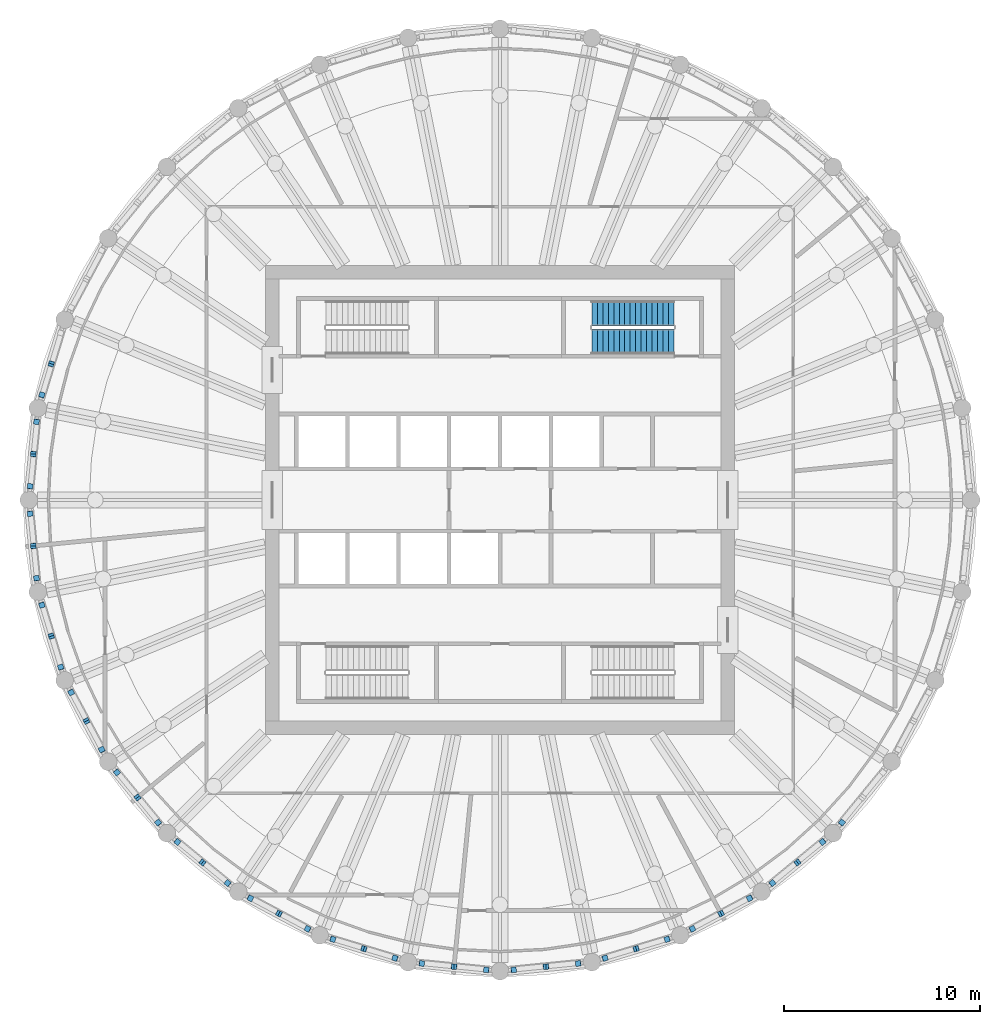
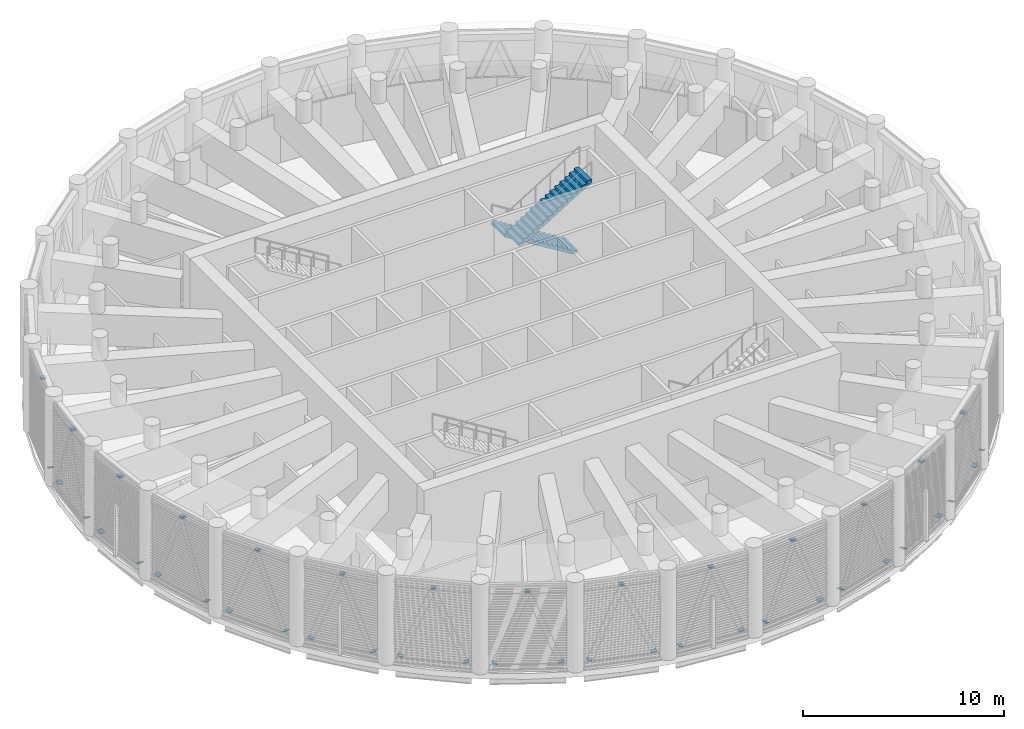
# One storey, part 9 of 19: 56 discrete accessories, 2 stair flights, 1 element without a shape of its own.
"""IFC4 building model written with IfcOpenShell, lengths in metres."""

import ifcopenshell
import ifcopenshell.guid

model = None  # the IFC model being written
_history = None  # IfcOwnerHistory: only IFC2X3 demands one
_inside = {}  # id of a spatial element -> (the spatial element, [elements in it])
_under = {}  # id of a project, library or spatial element -> (it, [spatial elements below it])
_declared = {}  # id of a project -> (the project, [libraries it declares])
_typed = {}  # id of a type object -> (the type object, [elements of that type])
_made_of = {}  # id of a material, layer set ... -> (it, [elements and type objects made of it])


def new_model(schema):
    """Start an empty IFC model of exactly this schema.

    Asked for "IFC4X3", IfcOpenShell would pick the latest addendum, in which some entities
    have other attributes; the version numbers below select the first issue.
    IFC2X3 requires an IfcOwnerHistory on every rooted entity: one is made here for all.
    """
    global model, _history
    if schema == "IFC4X3":
        model = ifcopenshell.file(schema_version=(4, 3, 0, 0))
    else:
        model = ifcopenshell.file(schema=schema)
    _inside.clear()
    _under.clear()
    _declared.clear()
    _typed.clear()
    _made_of.clear()
    _history = None
    if model.schema == "IFC2X3":
        org = make("IfcOrganization", Name="unknown")
        user = make(
            "IfcPersonAndOrganization",
            ThePerson=make("IfcPerson", FamilyName="unknown"),
            TheOrganization=org,
        )
        app = make(
            "IfcApplication",
            ApplicationDeveloper=org,
            Version="unknown",
            ApplicationFullName="unknown",
            ApplicationIdentifier="unknown",
        )
        _history = make(
            "IfcOwnerHistory",
            OwningUser=user,
            OwningApplication=app,
            ChangeAction="ADDED",
            CreationDate=0,
        )
    return model


def make(cls, **values):
    """One entity of the class cls with the attributes given. An attribute that is None is left unset."""
    return model.create_entity(
        cls, **{name: value for name, value in values.items() if value is not None}
    )


def rooted(cls, **values):
    """An entity with a GlobalId (a new one), such as an element, a storey or a relation."""
    return make(cls, GlobalId=ifcopenshell.guid.new(), OwnerHistory=_history, **values)


def si_unit(unit_type, name, prefix=None):
    """IfcSIUnit, for example si_unit("LENGTHUNIT", "METRE", prefix="MILLI")."""
    return make("IfcSIUnit", UnitType=unit_type, Prefix=prefix, Name=name)


def assignment(units):
    """IfcUnitAssignment: the units of a project."""
    return None if units is None else make("IfcUnitAssignment", Units=units)


def point(xyz):
    """IfcCartesianPoint."""
    return None if xyz is None else make("IfcCartesianPoint", Coordinates=xyz)


def direction(xyz):
    """IfcDirection."""
    return None if xyz is None else make("IfcDirection", DirectionRatios=xyz)


def frame(location, z_axis=None, x_axis=None):
    """IfcAxis2Placement3D, a coordinate frame: its origin and axes. An axis left out is left unset."""
    return make(
        "IfcAxis2Placement3D",
        Location=point(location),
        Axis=direction(z_axis),
        RefDirection=direction(x_axis),
    )


def frame_2d(location, x_axis=None):
    """IfcAxis2Placement2D, a coordinate frame in the plane: its origin and x axis."""
    return make(
        "IfcAxis2Placement2D", Location=point(location), RefDirection=direction(x_axis)
    )


def origin():
    """The frame at (0, 0, 0) with its axes left unset."""
    return frame((0.0, 0.0, 0.0))


def origin_2d():
    """The frame at (0, 0) in the plane with its x axis left unset."""
    return frame_2d((0.0, 0.0))


def place(relative_to, where):
    """IfcLocalPlacement: puts the frame where relative to a parent placement (None: the world)."""
    return make(
        "IfcLocalPlacement", PlacementRelTo=relative_to, RelativePlacement=where
    )


def context(
    kind, dimensions, precision=None, world=None, true_north=None, identifier=None
):
    """IfcGeometricRepresentationContext, for example the 3D "Model" context."""
    return make(
        "IfcGeometricRepresentationContext",
        ContextIdentifier=identifier,
        ContextType=kind,
        CoordinateSpaceDimension=dimensions,
        Precision=precision,
        WorldCoordinateSystem=world,
        TrueNorth=true_north,
    )


def subcontext(parent, identifier, kind, view, scale=None):
    """IfcGeometricRepresentationSubContext, for example "Body" below "Model"."""
    return make(
        "IfcGeometricRepresentationSubContext",
        ContextIdentifier=identifier,
        ContextType=kind,
        ParentContext=parent,
        TargetScale=scale,
        TargetView=view,
    )


def project(units=None, contexts=None):
    """IfcProject with its units and contexts."""
    return rooted(
        "IfcProject",
        Name="project",
        RepresentationContexts=contexts,
        UnitsInContext=assignment(units),
    )


def spatial(cls, under=None, at=None, **own):
    """A site, building, storey or space (cls), placed at a placement, below another one or the project."""
    s = rooted(cls, ObjectPlacement=at, **own)
    if under is not None:
        _under.setdefault(under.id(), (under, []))[1].append(s)
    return s


def polyline(points):
    """IfcPolyline through the points."""
    return make("IfcPolyline", Points=[point(p) for p in points])


def profile(cls, at=None, kind="AREA", **sizes):
    """A parametric profile (cls). Its sizes go by their IFC names, for example OverallWidth=200.0."""
    return make(cls, ProfileType=kind, Position=at, **sizes)


def rectangle(**sizes):
    """IfcRectangleProfileDef."""
    return profile("IfcRectangleProfileDef", **sizes)


def outline(outer, holes=None, kind="AREA"):
    """IfcArbitraryClosedProfileDef: a profile drawn as a closed curve; with holes, ...WithVoids."""
    if holes is None:
        return make("IfcArbitraryClosedProfileDef", ProfileType=kind, OuterCurve=outer)
    return make(
        "IfcArbitraryProfileDefWithVoids",
        ProfileType=kind,
        OuterCurve=outer,
        InnerCurves=holes,
    )


def extrude(swept, where, along, depth):
    """IfcExtrudedAreaSolid: the profile swept, set in the frame where, extruded along a direction by depth."""
    return make(
        "IfcExtrudedAreaSolid",
        SweptArea=swept,
        Position=where,
        ExtrudedDirection=direction(along),
        Depth=depth,
    )


def shape(context_of_items, identifier, shape_type, items):
    """IfcShapeRepresentation: the items that make up one representation, for example the "Body"."""
    return make(
        "IfcShapeRepresentation",
        ContextOfItems=context_of_items,
        RepresentationIdentifier=identifier,
        RepresentationType=shape_type,
        Items=items,
    )


def material(Name=None, Category=None):
    """IfcMaterial."""
    return make("IfcMaterial", Name=Name, Category=Category)


def material_profile(
    of_material, cross_section, Name=None, Category=None, Priority=None
):
    """IfcMaterialProfile: a cross section and its material."""
    return make(
        "IfcMaterialProfile",
        Name=Name,
        Material=of_material,
        Profile=cross_section,
        Priority=Priority,
        Category=Category,
    )


def profile_set(profiles, Name=None, composite=None):
    """IfcMaterialProfileSet."""
    return make(
        "IfcMaterialProfileSet",
        Name=Name,
        MaterialProfiles=profiles,
        CompositeProfile=composite,
    )


def made_of(thing, what):
    """Note that an element or type object is made of a material, layer set ...; save() writes the relation."""
    if what is not None:
        _made_of.setdefault(what.id(), (what, []))[1].append(thing)
    return thing


def type_object(cls, material=None, **own):
    """A type object (cls), such as IfcWallType, which elements share."""
    return made_of(rooted(cls, **own), material)


def element(
    cls,
    number,
    at=None,
    inside=None,
    cuts=None,
    type_object=None,
    material=None,
    context=None,
    identifier="Body",
    shape_type=None,
    held_by="IfcProductDefinitionShape",
    body=None,
    shapes=None,
    **own,
):
    """One element of the class cls, such as IfcWall. Its Tag is "e" and its number.

    at: its placement. inside: the storey or other place that contains it. cuts: it is an
    opening in that element (IfcRelVoidsElement). A single representation is given by context,
    identifier, shape_type and body (its items); several are given by shapes. held_by: the class
    of the entity that holds the representations. save() writes the other relations.
    """
    e = rooted(cls, Tag="e%d" % number, ObjectPlacement=at, **own)
    if body is not None:
        shapes = [shape(context, identifier, shape_type, body)]
    if shapes is not None:
        e.Representation = make(held_by, Representations=shapes)
    if inside is not None:
        _inside.setdefault(inside.id(), (inside, []))[1].append(e)
    if cuts is not None:
        rooted(
            "IfcRelVoidsElement", RelatingBuildingElement=cuts, RelatedOpeningElement=e
        )
    if type_object is not None:
        _typed.setdefault(type_object.id(), (type_object, []))[1].append(e)
    return made_of(e, material)


def aggregate(whole, parts):
    """IfcRelAggregates: a whole, such as a stair, and the parts it consists of."""
    return rooted("IfcRelAggregates", RelatingObject=whole, RelatedObjects=parts)


def save(model, path):
    """Write the relations noted so far, then the file.

    IfcRelAggregates (storeys below a building ...), IfcRelContainedInSpatialStructure (elements
    in a storey), IfcRelDefinesByType, IfcRelAssociatesMaterial and IfcRelDeclares: one each for
    every whole, place, type object, material and project.
    """
    for whole, parts in _under.values():
        aggregate(whole, parts)
    for where, things in _inside.values():
        rooted(
            "IfcRelContainedInSpatialStructure",
            RelatedElements=things,
            RelatingStructure=where,
        )
    for kind, things in _typed.values():
        rooted("IfcRelDefinesByType", RelatedObjects=things, RelatingType=kind)
    for what, things in _made_of.values():
        rooted("IfcRelAssociatesMaterial", RelatedObjects=things, RelatingMaterial=what)
    for by, libraries in _declared.values():
        rooted("IfcRelDeclares", RelatingContext=by, RelatedDefinitions=libraries)
    model.write(path)


model = new_model("IFC4")

# Units and contexts
model_context = context("Model", 3, precision=1e-05, world=origin(), true_north=direction((0.0, 1.0)))
body_context = subcontext(model_context, "Body", "Model", "MODEL_VIEW")
ifc_project = project(units=[si_unit("LENGTHUNIT", "METRE"), si_unit("AREAUNIT", "SQUARE_METRE"), si_unit("VOLUMEUNIT", "CUBIC_METRE"), si_unit("PLANEANGLEUNIT", "RADIAN"), si_unit("MASSUNIT", "GRAM", prefix="KILO")], contexts=[model_context])

# Site, building, storey
site_placement = place(None, origin())
site = spatial("IfcSite", under=ifc_project, at=site_placement, CompositionType="ELEMENT")
building_placement = place(site_placement, origin())
building = spatial("IfcBuilding", under=site, at=building_placement, Name="Corvane Civic Tower", CompositionType="ELEMENT")
storey_placement = place(building_placement, frame((0.0, 0.0, 319.0)))
storey = spatial("IfcBuildingStorey", under=building, at=storey_placement, Name="L76", CompositionType="ELEMENT", Elevation=319.0)

# Stair, stair flights
ifc_material_1 = material(Name="Concrete C40/50", Category="concrete")
stair_type = type_object("IfcStairType", Name="ST-STAIR-HALFTURN", PredefinedType="HALF_TURN_STAIR", material=ifc_material_1)
stair_placement = place(storey_placement, origin())
stair = element("IfcStair", 1, at=stair_placement, inside=storey, type_object=stair_type, Name="L76 Exit stair ST1", PredefinedType="HALF_TURN_STAIR")
ifc_material_2 = material(Name="Concrete C40/50", Category="concrete")
stair_flight_type = type_object("IfcStairFlightType", Name="ST-FLIGHT-RC", PredefinedType="STRAIGHT", material=ifc_material_2)
stair_flight_1_placement = place(storey_placement, frame((8.89990234375, 9.550048828125, 0.0), z_axis=(0.0, 0.0, 1.0), x_axis=(-1.0, 0.0, 0.0)))
stair_flight_1 = element("IfcStairFlight", 2, at=stair_flight_1_placement, type_object=stair_flight_type, Name="ST1 flight 1", NumberOfRisers=16, NumberOfTreads=15, PredefinedType="STRAIGHT", RiserHeight=0.171875, TreadLength=0.28, context=body_context, shape_type="SweptSolid", body=[
    extrude(outline(polyline([(0.0, 0.0), (0.0, 0.171875), (0.280029296875, 0.171875), (0.280029296875, 0.34375), (0.56005859375, 0.34375), (0.56005859375, 0.515625), (0.840087890625, 0.515625), (0.840087890625, 0.6875), (1.1201171875, 0.6875), (1.1201171875, 0.859375), (1.39990234375, 0.859375), (1.39990234375, 1.03125), (1.679931640625, 1.03125), (1.679931640625, 1.203125), (1.9599609375, 1.203125), (1.9599609375, 1.375), (2.239990234375, 1.375), (2.239990234375, 1.546875), (2.52001953125, 1.546875), (2.52001953125, 1.71875), (2.800048828125, 1.71875), (2.800048828125, 1.890625), (3.080078125, 1.890625), (3.080078125, 2.0625), (3.360107421875, 2.0625), (3.360107421875, 2.234375), (3.639892578125, 2.234375), (3.639892578125, 2.40625), (3.919921875, 2.40625), (3.919921875, 2.578125), (4.199951171875, 2.578125), (4.199951171875, 2.75), (4.199951171875, 2.40234375), (0.28662109375, 0.0), (0.0, 0.0)])), frame((0.0, 0.64990234375, 0.0), z_axis=(0.0, -1.0, 0.0), x_axis=(1.0, 0.0, 0.0)), (0.0, 0.0, 1.0), 1.300048828125),
])
stair_flight_2_placement = place(storey_placement, frame((4.699951171875, 8.10009765625, 2.75), z_axis=(0.0, 0.0, 1.0), x_axis=(1.0, 0.0, 0.0)))
stair_flight_2 = element("IfcStairFlight", 3, at=stair_flight_2_placement, type_object=stair_flight_type, Name="ST1 flight 2", NumberOfRisers=16, NumberOfTreads=15, PredefinedType="STRAIGHT", RiserHeight=0.171875, TreadLength=0.28, context=body_context, shape_type="SweptSolid", body=[
    extrude(outline(polyline([(0.0, 0.0), (0.0, 0.171875), (0.280029296875, 0.171875), (0.280029296875, 0.34375), (0.56005859375, 0.34375), (0.56005859375, 0.515625), (0.840087890625, 0.515625), (0.840087890625, 0.6875), (1.1201171875, 0.6875), (1.1201171875, 0.859375), (1.39990234375, 0.859375), (1.39990234375, 1.03125), (1.679931640625, 1.03125), (1.679931640625, 1.203125), (1.9599609375, 1.203125), (1.9599609375, 1.375), (2.239990234375, 1.375), (2.239990234375, 1.546875), (2.52001953125, 1.546875), (2.52001953125, 1.71875), (2.800048828125, 1.71875), (2.800048828125, 1.890625), (3.080078125, 1.890625), (3.080078125, 2.0625), (3.360107421875, 2.0625), (3.360107421875, 2.234375), (3.639892578125, 2.234375), (3.639892578125, 2.40625), (3.919921875, 2.40625), (3.919921875, 2.578125), (4.199951171875, 2.578125), (4.199951171875, 2.75), (4.199951171875, 2.40234375), (0.28662109375, 0.0), (0.0, 0.0)])), frame((0.0, 0.64990234375, 0.0), z_axis=(0.0, -1.0, 0.0), x_axis=(1.0, 0.0, 0.0)), (0.0, 0.0, 1.0), 1.300048828125),
])
aggregate(stair, [stair_flight_1, stair_flight_2])

# Discrete accessories
ifc_material_3 = material(Name="Steel ASTM A572 Gr 50", Category="steel")
ifc_material_profile = material_profile(ifc_material_3, rectangle(XDim=0.2802734375, YDim=0.2802734375, at=origin_2d()), Name="GUSSET PLATE 25 IN HSS12X12X1/2")
ifc_profile_set = profile_set([ifc_material_profile], Name="Steel ASTM A572 Gr 50")
discrete_accessory_type = type_object("IfcDiscreteAccessoryType", Name="GUSSET PLATE 25 IN HSS12X12X1/2", PredefinedType="BRACKET", material=ifc_profile_set)
for number, where, z_axis, x_axis, name in (
    (4, (17.4853515625, -16.500244140625, 0.406494140625), (0.225587789762, 0.284436778396, 0.931775653366), (-0.78349767909, 0.621394711002, 0.0), "Gusset plate BD1 end A"),
    (5, (16.500244140625, -17.4853515625, 0.406494140625), (-0.284436778396, -0.225587789762, 0.931775653366), (0.621394711002, -0.78349767909, 0.0), "Gusset plate BD1 end A"),
):
    element("IfcDiscreteAccessory", number, at=place(storey_placement, frame(where, z_axis=z_axis, x_axis=x_axis)), inside=storey, type_object=discrete_accessory_type, Name=name, PredefinedType="BRACKET", context=body_context, shape_type="SweptSolid", body=[
        extrude(rectangle(XDim=0.2802734375, YDim=0.2802734375, at=origin_2d()), origin(), (0.0, 0.0, 1.0), 0.02490234375),
    ])
discrete_accessory_1_placement = place(storey_placement, frame((15.21533203125, -18.539794921875, 4.74365234375), z_axis=(0.272875452252, 0.224147692921, -0.93557297915), x_axis=(-0.63473942336, 0.772726254525, 0.0)))
element("IfcDiscreteAccessory", 6, at=discrete_accessory_1_placement, inside=storey, type_object=discrete_accessory_type, Name="Gusset plate BD1 end B", PredefinedType="BRACKET", context=body_context, shape_type="SweptSolid", body=[
    extrude(rectangle(XDim=0.2802734375, YDim=0.2802734375, at=origin_2d()), origin(), (0.0, 0.0, 1.0), 0.025146484375),
])
discrete_accessory_2_placement = place(storey_placement, frame((13.93017578125, -19.59423828125, 0.406494140625), z_axis=(0.284436778396, 0.225587789762, 0.931775653366), x_axis=(-0.621394711002, 0.78349767909, 0.0)))
element("IfcDiscreteAccessory", 7, at=discrete_accessory_2_placement, inside=storey, type_object=discrete_accessory_type, Name="Gusset plate BD1 end A", PredefinedType="BRACKET", context=body_context, shape_type="SweptSolid", body=[
    extrude(rectangle(XDim=0.2802734375, YDim=0.2802734375, at=origin_2d()), origin(), (0.0, 0.0, 1.0), 0.02490234375),
])
discrete_accessory_3_placement = place(storey_placement, frame((15.21533203125, -18.539794921875, 4.74365234375), z_axis=(-0.281859094948, -0.223543420131, -0.933050797069), x_axis=(0.621394711002, -0.78349767909, 0.0)))
element("IfcDiscreteAccessory", 8, at=discrete_accessory_3_placement, inside=storey, type_object=discrete_accessory_type, Name="Gusset plate BD1 end B", PredefinedType="BRACKET", context=body_context, shape_type="SweptSolid", body=[
    extrude(rectangle(XDim=0.2802734375, YDim=0.2802734375, at=origin_2d()), origin(), (0.0, 0.0, 1.0), 0.025146484375),
])
discrete_accessory_4_placement = place(storey_placement, frame((12.771728515625, -20.368408203125, 0.406494140625), z_axis=(-0.314725342185, -0.167197838036, 0.934340859613), x_axis=(0.469155225962, -0.883115719457, 0.0)))
element("IfcDiscreteAccessory", 9, at=discrete_accessory_4_placement, inside=storey, type_object=discrete_accessory_type, Name="Gusset plate BD1 end A", PredefinedType="BRACKET", context=body_context, shape_type="SweptSolid", body=[
    extrude(rectangle(XDim=0.2802734375, YDim=0.2802734375, at=origin_2d()), origin(), (0.0, 0.0, 1.0), 0.02490234375),
])
discrete_accessory_5_placement = place(storey_placement, frame((11.305908203125, -21.15185546875, 4.74365234375), z_axis=(0.311857659717, 0.165674381725, -0.93557297915), x_axis=(-0.469155225962, 0.883115719457, 0.0)))
element("IfcDiscreteAccessory", 10, at=discrete_accessory_5_placement, inside=storey, type_object=discrete_accessory_type, Name="Gusset plate BD1 end B", PredefinedType="BRACKET", context=body_context, shape_type="SweptSolid", body=[
    extrude(rectangle(XDim=0.2802734375, YDim=0.2802734375, at=origin_2d()), origin(), (0.0, 0.0, 1.0), 0.025146484375),
])
discrete_accessory_6_placement = place(storey_placement, frame((9.840087890625, -21.935302734375, 0.406494140625), z_axis=(0.314725342185, 0.167197838036, 0.934340859613), x_axis=(-0.469155225962, 0.883115719457, 0.0)))
element("IfcDiscreteAccessory", 11, at=discrete_accessory_6_placement, inside=storey, type_object=discrete_accessory_type, Name="Gusset plate BD1 end A", PredefinedType="BRACKET", context=body_context, shape_type="SweptSolid", body=[
    extrude(rectangle(XDim=0.2802734375, YDim=0.2802734375, at=origin_2d()), origin(), (0.0, 0.0, 1.0), 0.02490234375),
])
discrete_accessory_7_placement = place(storey_placement, frame((11.305908203125, -21.15185546875, 4.74365234375), z_axis=(-0.311857659717, -0.165674381725, -0.93557297915), x_axis=(0.469155225962, -0.883115719457, 0.0)))
element("IfcDiscreteAccessory", 12, at=discrete_accessory_7_placement, inside=storey, type_object=discrete_accessory_type, Name="Gusset plate BD1 end B", PredefinedType="BRACKET", context=body_context, shape_type="SweptSolid", body=[
    extrude(rectangle(XDim=0.2802734375, YDim=0.2802734375, at=origin_2d()), origin(), (0.0, 0.0, 1.0), 0.025146484375),
])
discrete_accessory_8_placement = place(storey_placement, frame((8.552734375, -22.468505859375, 0.406494140625), z_axis=(-0.343682744054, -0.108014576703, 0.932853162432), x_axis=(0.29982659674, -0.953993716901, 0.0)))
element("IfcDiscreteAccessory", 13, at=discrete_accessory_8_placement, inside=storey, type_object=discrete_accessory_type, Name="Gusset plate BD1 end A", PredefinedType="BRACKET", context=body_context, shape_type="SweptSolid", body=[
    extrude(rectangle(XDim=0.2802734375, YDim=0.2802734375, at=origin_2d()), origin(), (0.0, 0.0, 1.0), 0.02490234375),
])
discrete_accessory_9_placement = place(storey_placement, frame((6.962158203125, -22.951171875, 4.74365234375), z_axis=(0.340561039499, 0.107033469557, -0.934110279769), x_axis=(-0.29982659674, 0.953993716901, 0.0)))
element("IfcDiscreteAccessory", 14, at=discrete_accessory_9_placement, inside=storey, type_object=discrete_accessory_type, Name="Gusset plate BD1 end B", PredefinedType="BRACKET", context=body_context, shape_type="SweptSolid", body=[
    extrude(rectangle(XDim=0.2802734375, YDim=0.2802734375, at=origin_2d()), origin(), (0.0, 0.0, 1.0), 0.025146484375),
])
discrete_accessory_10_placement = place(storey_placement, frame((5.37158203125, -23.433837890625, 0.406494140625), z_axis=(0.343682744054, 0.108014576703, 0.932853162432), x_axis=(-0.29982659674, 0.953993716901, 0.0)))
element("IfcDiscreteAccessory", 15, at=discrete_accessory_10_placement, inside=storey, type_object=discrete_accessory_type, Name="Gusset plate BD1 end A", PredefinedType="BRACKET", context=body_context, shape_type="SweptSolid", body=[
    extrude(rectangle(XDim=0.2802734375, YDim=0.2802734375, at=origin_2d()), origin(), (0.0, 0.0, 1.0), 0.02490234375),
])
discrete_accessory_11_placement = place(storey_placement, frame((6.962158203125, -22.951171875, 4.74365234375), z_axis=(-0.340561039499, -0.107033469557, -0.934110279769), x_axis=(0.29982659674, -0.953993716901, 0.0)))
element("IfcDiscreteAccessory", 16, at=discrete_accessory_11_placement, inside=storey, type_object=discrete_accessory_type, Name="Gusset plate BD1 end B", PredefinedType="BRACKET", context=body_context, shape_type="SweptSolid", body=[
    extrude(rectangle(XDim=0.2802734375, YDim=0.2802734375, at=origin_2d()), origin(), (0.0, 0.0, 1.0), 0.025146484375),
])
discrete_accessory_12_placement = place(storey_placement, frame((4.005126953125, -23.70556640625, 0.406494140625), z_axis=(-0.36264054548, -0.039204383295, 0.931104103258), x_axis=(0.10748184298, -0.994207047566, 0.0)))
element("IfcDiscreteAccessory", 17, at=discrete_accessory_12_placement, inside=storey, type_object=discrete_accessory_type, Name="Gusset plate BD1 end A", PredefinedType="BRACKET", context=body_context, shape_type="SweptSolid", body=[
    extrude(rectangle(XDim=0.2802734375, YDim=0.2802734375, at=origin_2d()), origin(), (0.0, 0.0, 1.0), 0.02490234375),
])
discrete_accessory_13_placement = place(storey_placement, frame((2.350830078125, -23.868408203125, 4.74365234375), z_axis=(0.350973228344, 0.029247769029, -0.935928608919), x_axis=(-0.083045479854, 0.996545758245, 0.0)))
element("IfcDiscreteAccessory", 18, at=discrete_accessory_13_placement, inside=storey, type_object=discrete_accessory_type, Name="Gusset plate BD1 end B", PredefinedType="BRACKET", context=body_context, shape_type="SweptSolid", body=[
    extrude(rectangle(XDim=0.2802734375, YDim=0.2802734375, at=origin_2d()), origin(), (0.0, 0.0, 1.0), 0.025146484375),
])
discrete_accessory_14_placement = place(storey_placement, frame((0.696533203125, -24.031494140625, 0.406494140625), z_axis=(0.36264054548, 0.039204383295, 0.931104103258), x_axis=(-0.10748184298, 0.994207047566, 0.0)))
element("IfcDiscreteAccessory", 19, at=discrete_accessory_14_placement, inside=storey, type_object=discrete_accessory_type, Name="Gusset plate BD1 end A", PredefinedType="BRACKET", context=body_context, shape_type="SweptSolid", body=[
    extrude(rectangle(XDim=0.2802734375, YDim=0.2802734375, at=origin_2d()), origin(), (0.0, 0.0, 1.0), 0.02490234375),
])
discrete_accessory_15_placement = place(storey_placement, frame((2.350830078125, -23.868408203125, 4.74365234375), z_axis=(-0.350856529013, -0.038984058779, -0.935617410703), x_axis=(0.110431526075, -0.993883734674, 0.0)))
element("IfcDiscreteAccessory", 20, at=discrete_accessory_15_placement, inside=storey, type_object=discrete_accessory_type, Name="Gusset plate BD1 end B", PredefinedType="BRACKET", context=body_context, shape_type="SweptSolid", body=[
    extrude(rectangle(XDim=0.2802734375, YDim=0.2802734375, at=origin_2d()), origin(), (0.0, 0.0, 1.0), 0.025146484375),
])
discrete_accessory_16_placement = place(storey_placement, frame((-0.696533203125, -24.031494140625, 0.406494140625), z_axis=(-0.36264054548, 0.039204383295, 0.931104103258), x_axis=(-0.10748184298, -0.994207047566, 0.0)))
element("IfcDiscreteAccessory", 21, at=discrete_accessory_16_placement, inside=storey, type_object=discrete_accessory_type, Name="Gusset plate BD1 end A", PredefinedType="BRACKET", context=body_context, shape_type="SweptSolid", body=[
    extrude(rectangle(XDim=0.2802734375, YDim=0.2802734375, at=origin_2d()), origin(), (0.0, 0.0, 1.0), 0.02490234375),
])
discrete_accessory_17_placement = place(storey_placement, frame((-2.350830078125, -23.868408203125, 4.74365234375), z_axis=(0.350856529013, -0.038984058779, -0.935617410703), x_axis=(0.110431526075, 0.993883734674, 0.0)))
element("IfcDiscreteAccessory", 22, at=discrete_accessory_17_placement, inside=storey, type_object=discrete_accessory_type, Name="Gusset plate BD1 end B", PredefinedType="BRACKET", context=body_context, shape_type="SweptSolid", body=[
    extrude(rectangle(XDim=0.2802734375, YDim=0.2802734375, at=origin_2d()), origin(), (0.0, 0.0, 1.0), 0.025146484375),
])
discrete_accessory_18_placement = place(storey_placement, frame((-4.005126953125, -23.70556640625, 0.406494140625), z_axis=(0.36264054548, -0.039204383295, 0.931104103258), x_axis=(0.10748184298, 0.994207047566, 0.0)))
element("IfcDiscreteAccessory", 23, at=discrete_accessory_18_placement, inside=storey, type_object=discrete_accessory_type, Name="Gusset plate BD1 end A", PredefinedType="BRACKET", context=body_context, shape_type="SweptSolid", body=[
    extrude(rectangle(XDim=0.2802734375, YDim=0.2802734375, at=origin_2d()), origin(), (0.0, 0.0, 1.0), 0.02490234375),
])
discrete_accessory_19_placement = place(storey_placement, frame((-2.350830078125, -23.868408203125, 4.74365234375), z_axis=(-0.350973228344, 0.029247769029, -0.935928608919), x_axis=(-0.083045479854, -0.996545758245, 0.0)))
element("IfcDiscreteAccessory", 24, at=discrete_accessory_19_placement, inside=storey, type_object=discrete_accessory_type, Name="Gusset plate BD1 end B", PredefinedType="BRACKET", context=body_context, shape_type="SweptSolid", body=[
    extrude(rectangle(XDim=0.2802734375, YDim=0.2802734375, at=origin_2d()), origin(), (0.0, 0.0, 1.0), 0.025146484375),
])
discrete_accessory_20_placement = place(storey_placement, frame((-5.37158203125, -23.433837890625, 0.406494140625), z_axis=(-0.343682744054, 0.108014576703, 0.932853162432), x_axis=(-0.29982659674, -0.953993716901, 0.0)))
element("IfcDiscreteAccessory", 25, at=discrete_accessory_20_placement, inside=storey, type_object=discrete_accessory_type, Name="Gusset plate BD1 end A", PredefinedType="BRACKET", context=body_context, shape_type="SweptSolid", body=[
    extrude(rectangle(XDim=0.2802734375, YDim=0.2802734375, at=origin_2d()), origin(), (0.0, 0.0, 1.0), 0.02490234375),
])
discrete_accessory_21_placement = place(storey_placement, frame((-6.962158203125, -22.951171875, 4.74365234375), z_axis=(0.340561039499, -0.107033469557, -0.934110279769), x_axis=(0.29982659674, 0.953993716901, 0.0)))
element("IfcDiscreteAccessory", 26, at=discrete_accessory_21_placement, inside=storey, type_object=discrete_accessory_type, Name="Gusset plate BD1 end B", PredefinedType="BRACKET", context=body_context, shape_type="SweptSolid", body=[
    extrude(rectangle(XDim=0.2802734375, YDim=0.2802734375, at=origin_2d()), origin(), (0.0, 0.0, 1.0), 0.025146484375),
])
discrete_accessory_22_placement = place(storey_placement, frame((-8.552734375, -22.468505859375, 0.406494140625), z_axis=(0.343682744054, -0.108014576703, 0.932853162432), x_axis=(0.29982659674, 0.953993716901, 0.0)))
element("IfcDiscreteAccessory", 27, at=discrete_accessory_22_placement, inside=storey, type_object=discrete_accessory_type, Name="Gusset plate BD1 end A", PredefinedType="BRACKET", context=body_context, shape_type="SweptSolid", body=[
    extrude(rectangle(XDim=0.2802734375, YDim=0.2802734375, at=origin_2d()), origin(), (0.0, 0.0, 1.0), 0.02490234375),
])
discrete_accessory_23_placement = place(storey_placement, frame((-6.962158203125, -22.951171875, 4.74365234375), z_axis=(-0.340561039499, 0.107033469557, -0.934110279769), x_axis=(-0.29982659674, -0.953993716901, 0.0)))
element("IfcDiscreteAccessory", 28, at=discrete_accessory_23_placement, inside=storey, type_object=discrete_accessory_type, Name="Gusset plate BD1 end B", PredefinedType="BRACKET", context=body_context, shape_type="SweptSolid", body=[
    extrude(rectangle(XDim=0.2802734375, YDim=0.2802734375, at=origin_2d()), origin(), (0.0, 0.0, 1.0), 0.025146484375),
])
discrete_accessory_24_placement = place(storey_placement, frame((-9.840087890625, -21.935302734375, 0.406494140625), z_axis=(-0.314725342185, 0.167197838036, 0.934340859613), x_axis=(-0.469155225962, -0.883115719457, 0.0)))
element("IfcDiscreteAccessory", 29, at=discrete_accessory_24_placement, inside=storey, type_object=discrete_accessory_type, Name="Gusset plate BD1 end A", PredefinedType="BRACKET", context=body_context, shape_type="SweptSolid", body=[
    extrude(rectangle(XDim=0.2802734375, YDim=0.2802734375, at=origin_2d()), origin(), (0.0, 0.0, 1.0), 0.02490234375),
])
discrete_accessory_25_placement = place(storey_placement, frame((-11.305908203125, -21.15185546875, 4.74365234375), z_axis=(0.311857659717, -0.165674381725, -0.93557297915), x_axis=(0.469155225962, 0.883115719457, 0.0)))
element("IfcDiscreteAccessory", 30, at=discrete_accessory_25_placement, inside=storey, type_object=discrete_accessory_type, Name="Gusset plate BD1 end B", PredefinedType="BRACKET", context=body_context, shape_type="SweptSolid", body=[
    extrude(rectangle(XDim=0.2802734375, YDim=0.2802734375, at=origin_2d()), origin(), (0.0, 0.0, 1.0), 0.025146484375),
])
discrete_accessory_26_placement = place(storey_placement, frame((-12.771728515625, -20.368408203125, 0.406494140625), z_axis=(0.314725342185, -0.167197838036, 0.934340859613), x_axis=(0.469155225962, 0.883115719457, 0.0)))
element("IfcDiscreteAccessory", 31, at=discrete_accessory_26_placement, inside=storey, type_object=discrete_accessory_type, Name="Gusset plate BD1 end A", PredefinedType="BRACKET", context=body_context, shape_type="SweptSolid", body=[
    extrude(rectangle(XDim=0.2802734375, YDim=0.2802734375, at=origin_2d()), origin(), (0.0, 0.0, 1.0), 0.02490234375),
])
discrete_accessory_27_placement = place(storey_placement, frame((-11.305908203125, -21.15185546875, 4.74365234375), z_axis=(-0.311857659717, 0.165674381725, -0.93557297915), x_axis=(-0.469155225962, -0.883115719457, 0.0)))
element("IfcDiscreteAccessory", 32, at=discrete_accessory_27_placement, inside=storey, type_object=discrete_accessory_type, Name="Gusset plate BD1 end B", PredefinedType="BRACKET", context=body_context, shape_type="SweptSolid", body=[
    extrude(rectangle(XDim=0.2802734375, YDim=0.2802734375, at=origin_2d()), origin(), (0.0, 0.0, 1.0), 0.025146484375),
])
discrete_accessory_28_placement = place(storey_placement, frame((-13.93017578125, -19.59423828125, 0.406494140625), z_axis=(-0.284436778396, 0.225587789762, 0.931775653366), x_axis=(-0.621394711002, -0.78349767909, 0.0)))
element("IfcDiscreteAccessory", 33, at=discrete_accessory_28_placement, inside=storey, type_object=discrete_accessory_type, Name="Gusset plate BD1 end A", PredefinedType="BRACKET", context=body_context, shape_type="SweptSolid", body=[
    extrude(rectangle(XDim=0.2802734375, YDim=0.2802734375, at=origin_2d()), origin(), (0.0, 0.0, 1.0), 0.02490234375),
])
discrete_accessory_29_placement = place(storey_placement, frame((-15.21533203125, -18.539794921875, 4.74365234375), z_axis=(0.281859094948, -0.223543420131, -0.933050797069), x_axis=(0.621394711002, 0.78349767909, 0.0)))
element("IfcDiscreteAccessory", 34, at=discrete_accessory_29_placement, inside=storey, type_object=discrete_accessory_type, Name="Gusset plate BD1 end B", PredefinedType="BRACKET", context=body_context, shape_type="SweptSolid", body=[
    extrude(rectangle(XDim=0.2802734375, YDim=0.2802734375, at=origin_2d()), origin(), (0.0, 0.0, 1.0), 0.025146484375),
])
discrete_accessory_30_placement = place(storey_placement, frame((-16.500244140625, -17.4853515625, 0.406494140625), z_axis=(0.284436778396, -0.225587789762, 0.931775653366), x_axis=(0.621394711002, 0.78349767909, 0.0)))
element("IfcDiscreteAccessory", 35, at=discrete_accessory_30_placement, inside=storey, type_object=discrete_accessory_type, Name="Gusset plate BD1 end A", PredefinedType="BRACKET", context=body_context, shape_type="SweptSolid", body=[
    extrude(rectangle(XDim=0.2802734375, YDim=0.2802734375, at=origin_2d()), origin(), (0.0, 0.0, 1.0), 0.02490234375),
])
discrete_accessory_31_placement = place(storey_placement, frame((-15.21533203125, -18.539794921875, 4.74365234375), z_axis=(-0.272875452252, 0.224147692921, -0.93557297915), x_axis=(-0.63473942336, -0.772726254525, 0.0)))
element("IfcDiscreteAccessory", 36, at=discrete_accessory_31_placement, inside=storey, type_object=discrete_accessory_type, Name="Gusset plate BD1 end B", PredefinedType="BRACKET", context=body_context, shape_type="SweptSolid", body=[
    extrude(rectangle(XDim=0.2802734375, YDim=0.2802734375, at=origin_2d()), origin(), (0.0, 0.0, 1.0), 0.025146484375),
])
discrete_accessory_32_placement = place(storey_placement, frame((-17.4853515625, -16.500244140625, 0.406494140625), z_axis=(-0.225587789762, 0.284436778396, 0.931775653366), x_axis=(-0.78349767909, -0.621394711002, 0.0)))
element("IfcDiscreteAccessory", 37, at=discrete_accessory_32_placement, inside=storey, type_object=discrete_accessory_type, Name="Gusset plate BD1 end A", PredefinedType="BRACKET", context=body_context, shape_type="SweptSolid", body=[
    extrude(rectangle(XDim=0.2802734375, YDim=0.2802734375, at=origin_2d()), origin(), (0.0, 0.0, 1.0), 0.02490234375),
])
discrete_accessory_33_placement = place(storey_placement, frame((-18.539794921875, -15.21533203125, 4.74365234375), z_axis=(0.224147692921, -0.272875452252, -0.93557297915), x_axis=(0.772726254525, 0.63473942336, 0.0)))
element("IfcDiscreteAccessory", 38, at=discrete_accessory_33_placement, inside=storey, type_object=discrete_accessory_type, Name="Gusset plate BD1 end B", PredefinedType="BRACKET", context=body_context, shape_type="SweptSolid", body=[
    extrude(rectangle(XDim=0.2802734375, YDim=0.2802734375, at=origin_2d()), origin(), (0.0, 0.0, 1.0), 0.025146484375),
])
discrete_accessory_34_placement = place(storey_placement, frame((-19.59423828125, -13.93017578125, 0.406494140625), z_axis=(0.225587789762, -0.284436778396, 0.931775653366), x_axis=(0.78349767909, 0.621394711002, 0.0)))
element("IfcDiscreteAccessory", 39, at=discrete_accessory_34_placement, inside=storey, type_object=discrete_accessory_type, Name="Gusset plate BD1 end A", PredefinedType="BRACKET", context=body_context, shape_type="SweptSolid", body=[
    extrude(rectangle(XDim=0.2802734375, YDim=0.2802734375, at=origin_2d()), origin(), (0.0, 0.0, 1.0), 0.02490234375),
])
discrete_accessory_35_placement = place(storey_placement, frame((-18.539794921875, -15.21533203125, 4.74365234375), z_axis=(-0.223543420131, 0.281859094948, -0.933050797069), x_axis=(-0.78349767909, -0.621394711002, 0.0)))
element("IfcDiscreteAccessory", 40, at=discrete_accessory_35_placement, inside=storey, type_object=discrete_accessory_type, Name="Gusset plate BD1 end B", PredefinedType="BRACKET", context=body_context, shape_type="SweptSolid", body=[
    extrude(rectangle(XDim=0.2802734375, YDim=0.2802734375, at=origin_2d()), origin(), (0.0, 0.0, 1.0), 0.025146484375),
])
discrete_accessory_36_placement = place(storey_placement, frame((-20.368408203125, -12.771728515625, 0.406494140625), z_axis=(-0.167197838036, 0.314725342185, 0.934340859613), x_axis=(-0.883115719457, -0.469155225962, 0.0)))
element("IfcDiscreteAccessory", 41, at=discrete_accessory_36_placement, inside=storey, type_object=discrete_accessory_type, Name="Gusset plate BD1 end A", PredefinedType="BRACKET", context=body_context, shape_type="SweptSolid", body=[
    extrude(rectangle(XDim=0.2802734375, YDim=0.2802734375, at=origin_2d()), origin(), (0.0, 0.0, 1.0), 0.02490234375),
])
discrete_accessory_37_placement = place(storey_placement, frame((-21.15185546875, -11.305908203125, 4.74365234375), z_axis=(0.165674381725, -0.311857659717, -0.93557297915), x_axis=(0.883115719457, 0.469155225962, 0.0)))
element("IfcDiscreteAccessory", 42, at=discrete_accessory_37_placement, inside=storey, type_object=discrete_accessory_type, Name="Gusset plate BD1 end B", PredefinedType="BRACKET", context=body_context, shape_type="SweptSolid", body=[
    extrude(rectangle(XDim=0.2802734375, YDim=0.2802734375, at=origin_2d()), origin(), (0.0, 0.0, 1.0), 0.025146484375),
])
discrete_accessory_38_placement = place(storey_placement, frame((-21.935302734375, -9.840087890625, 0.406494140625), z_axis=(0.167197838036, -0.314725342185, 0.934340859613), x_axis=(0.883115719457, 0.469155225962, 0.0)))
element("IfcDiscreteAccessory", 43, at=discrete_accessory_38_placement, inside=storey, type_object=discrete_accessory_type, Name="Gusset plate BD1 end A", PredefinedType="BRACKET", context=body_context, shape_type="SweptSolid", body=[
    extrude(rectangle(XDim=0.2802734375, YDim=0.2802734375, at=origin_2d()), origin(), (0.0, 0.0, 1.0), 0.02490234375),
])
discrete_accessory_39_placement = place(storey_placement, frame((-21.15185546875, -11.305908203125, 4.74365234375), z_axis=(-0.165674381725, 0.311857659717, -0.93557297915), x_axis=(-0.883115719457, -0.469155225962, 0.0)))
element("IfcDiscreteAccessory", 44, at=discrete_accessory_39_placement, inside=storey, type_object=discrete_accessory_type, Name="Gusset plate BD1 end B", PredefinedType="BRACKET", context=body_context, shape_type="SweptSolid", body=[
    extrude(rectangle(XDim=0.2802734375, YDim=0.2802734375, at=origin_2d()), origin(), (0.0, 0.0, 1.0), 0.025146484375),
])
discrete_accessory_40_placement = place(storey_placement, frame((-22.468505859375, -8.552734375, 0.406494140625), z_axis=(-0.108014576703, 0.343682744054, 0.932853162432), x_axis=(-0.953993716901, -0.29982659674, 0.0)))
element("IfcDiscreteAccessory", 45, at=discrete_accessory_40_placement, inside=storey, type_object=discrete_accessory_type, Name="Gusset plate BD1 end A", PredefinedType="BRACKET", context=body_context, shape_type="SweptSolid", body=[
    extrude(rectangle(XDim=0.2802734375, YDim=0.2802734375, at=origin_2d()), origin(), (0.0, 0.0, 1.0), 0.02490234375),
])
discrete_accessory_41_placement = place(storey_placement, frame((-22.951171875, -6.962158203125, 4.74365234375), z_axis=(0.107033469557, -0.340561039499, -0.934110279769), x_axis=(0.953993716901, 0.29982659674, 0.0)))
element("IfcDiscreteAccessory", 46, at=discrete_accessory_41_placement, inside=storey, type_object=discrete_accessory_type, Name="Gusset plate BD1 end B", PredefinedType="BRACKET", context=body_context, shape_type="SweptSolid", body=[
    extrude(rectangle(XDim=0.2802734375, YDim=0.2802734375, at=origin_2d()), origin(), (0.0, 0.0, 1.0), 0.025146484375),
])
discrete_accessory_42_placement = place(storey_placement, frame((-23.433837890625, -5.37158203125, 0.406494140625), z_axis=(0.108014576703, -0.343682744054, 0.932853162432), x_axis=(0.953993716901, 0.29982659674, 0.0)))
element("IfcDiscreteAccessory", 47, at=discrete_accessory_42_placement, inside=storey, type_object=discrete_accessory_type, Name="Gusset plate BD1 end A", PredefinedType="BRACKET", context=body_context, shape_type="SweptSolid", body=[
    extrude(rectangle(XDim=0.2802734375, YDim=0.2802734375, at=origin_2d()), origin(), (0.0, 0.0, 1.0), 0.02490234375),
])
discrete_accessory_43_placement = place(storey_placement, frame((-22.951171875, -6.962158203125, 4.74365234375), z_axis=(-0.107033469557, 0.340561039499, -0.934110279769), x_axis=(-0.953993716901, -0.29982659674, 0.0)))
element("IfcDiscreteAccessory", 48, at=discrete_accessory_43_placement, inside=storey, type_object=discrete_accessory_type, Name="Gusset plate BD1 end B", PredefinedType="BRACKET", context=body_context, shape_type="SweptSolid", body=[
    extrude(rectangle(XDim=0.2802734375, YDim=0.2802734375, at=origin_2d()), origin(), (0.0, 0.0, 1.0), 0.025146484375),
])
discrete_accessory_44_placement = place(storey_placement, frame((-23.70556640625, -4.005126953125, 0.406494140625), z_axis=(-0.039204383295, 0.36264054548, 0.931104103258), x_axis=(-0.994207047566, -0.10748184298, 0.0)))
element("IfcDiscreteAccessory", 49, at=discrete_accessory_44_placement, inside=storey, type_object=discrete_accessory_type, Name="Gusset plate BD1 end A", PredefinedType="BRACKET", context=body_context, shape_type="SweptSolid", body=[
    extrude(rectangle(XDim=0.2802734375, YDim=0.2802734375, at=origin_2d()), origin(), (0.0, 0.0, 1.0), 0.02490234375),
])
discrete_accessory_45_placement = place(storey_placement, frame((-23.868408203125, -2.350830078125, 4.74365234375), z_axis=(0.029247769029, -0.350973228344, -0.935928608919), x_axis=(0.996545758245, 0.083045479854, 0.0)))
element("IfcDiscreteAccessory", 50, at=discrete_accessory_45_placement, inside=storey, type_object=discrete_accessory_type, Name="Gusset plate BD1 end B", PredefinedType="BRACKET", context=body_context, shape_type="SweptSolid", body=[
    extrude(rectangle(XDim=0.2802734375, YDim=0.2802734375, at=origin_2d()), origin(), (0.0, 0.0, 1.0), 0.025146484375),
])
discrete_accessory_46_placement = place(storey_placement, frame((-24.031494140625, -0.696533203125, 0.406494140625), z_axis=(0.039204383295, -0.36264054548, 0.931104103258), x_axis=(0.994207047566, 0.10748184298, 0.0)))
element("IfcDiscreteAccessory", 51, at=discrete_accessory_46_placement, inside=storey, type_object=discrete_accessory_type, Name="Gusset plate BD1 end A", PredefinedType="BRACKET", context=body_context, shape_type="SweptSolid", body=[
    extrude(rectangle(XDim=0.2802734375, YDim=0.2802734375, at=origin_2d()), origin(), (0.0, 0.0, 1.0), 0.02490234375),
])
discrete_accessory_47_placement = place(storey_placement, frame((-23.868408203125, -2.350830078125, 4.74365234375), z_axis=(-0.038984058779, 0.350856529013, -0.935617410703), x_axis=(-0.993883734674, -0.110431526075, 0.0)))
element("IfcDiscreteAccessory", 52, at=discrete_accessory_47_placement, inside=storey, type_object=discrete_accessory_type, Name="Gusset plate BD1 end B", PredefinedType="BRACKET", context=body_context, shape_type="SweptSolid", body=[
    extrude(rectangle(XDim=0.2802734375, YDim=0.2802734375, at=origin_2d()), origin(), (0.0, 0.0, 1.0), 0.025146484375),
])
discrete_accessory_48_placement = place(storey_placement, frame((-24.031494140625, 0.696533203125, 0.406494140625), z_axis=(0.039204383295, 0.36264054548, 0.931104103258), x_axis=(-0.994207047566, 0.10748184298, 0.0)))
element("IfcDiscreteAccessory", 53, at=discrete_accessory_48_placement, inside=storey, type_object=discrete_accessory_type, Name="Gusset plate BD1 end A", PredefinedType="BRACKET", context=body_context, shape_type="SweptSolid", body=[
    extrude(rectangle(XDim=0.2802734375, YDim=0.2802734375, at=origin_2d()), origin(), (0.0, 0.0, 1.0), 0.02490234375),
])
discrete_accessory_49_placement = place(storey_placement, frame((-23.868408203125, 2.350830078125, 4.74365234375), z_axis=(-0.038984058779, -0.350856529013, -0.935617410703), x_axis=(0.993883734674, -0.110431526075, 0.0)))
element("IfcDiscreteAccessory", 54, at=discrete_accessory_49_placement, inside=storey, type_object=discrete_accessory_type, Name="Gusset plate BD1 end B", PredefinedType="BRACKET", context=body_context, shape_type="SweptSolid", body=[
    extrude(rectangle(XDim=0.2802734375, YDim=0.2802734375, at=origin_2d()), origin(), (0.0, 0.0, 1.0), 0.025146484375),
])
discrete_accessory_50_placement = place(storey_placement, frame((-23.70556640625, 4.005126953125, 0.406494140625), z_axis=(-0.039204383295, -0.36264054548, 0.931104103258), x_axis=(0.994207047566, -0.10748184298, 0.0)))
element("IfcDiscreteAccessory", 55, at=discrete_accessory_50_placement, inside=storey, type_object=discrete_accessory_type, Name="Gusset plate BD1 end A", PredefinedType="BRACKET", context=body_context, shape_type="SweptSolid", body=[
    extrude(rectangle(XDim=0.2802734375, YDim=0.2802734375, at=origin_2d()), origin(), (0.0, 0.0, 1.0), 0.02490234375),
])
discrete_accessory_51_placement = place(storey_placement, frame((-23.868408203125, 2.350830078125, 4.74365234375), z_axis=(0.029247769029, 0.350973228344, -0.935928608919), x_axis=(-0.996545758245, 0.083045479854, 0.0)))
element("IfcDiscreteAccessory", 56, at=discrete_accessory_51_placement, inside=storey, type_object=discrete_accessory_type, Name="Gusset plate BD1 end B", PredefinedType="BRACKET", context=body_context, shape_type="SweptSolid", body=[
    extrude(rectangle(XDim=0.2802734375, YDim=0.2802734375, at=origin_2d()), origin(), (0.0, 0.0, 1.0), 0.025146484375),
])
discrete_accessory_52_placement = place(storey_placement, frame((-23.433837890625, 5.37158203125, 0.406494140625), z_axis=(0.108014576703, 0.343682744054, 0.932853162432), x_axis=(-0.953993716901, 0.29982659674, 0.0)))
element("IfcDiscreteAccessory", 57, at=discrete_accessory_52_placement, inside=storey, type_object=discrete_accessory_type, Name="Gusset plate BD1 end A", PredefinedType="BRACKET", context=body_context, shape_type="SweptSolid", body=[
    extrude(rectangle(XDim=0.2802734375, YDim=0.2802734375, at=origin_2d()), origin(), (0.0, 0.0, 1.0), 0.02490234375),
])
for number, where, z_axis, x_axis, name in (
    (58, (-22.951171875, 6.962158203125, 4.74365234375), (-0.107033469557, -0.340561039499, -0.934110279769), (0.953993716901, -0.29982659674, 0.0), "Gusset plate BD1 end B"),
    (59, (-22.951171875, 6.962158203125, 4.74365234375), (0.107033469557, 0.340561039499, -0.934110279769), (-0.953993716901, 0.29982659674, 0.0), "Gusset plate BD1 end B"),
):
    element("IfcDiscreteAccessory", number, at=place(storey_placement, frame(where, z_axis=z_axis, x_axis=x_axis)), inside=storey, type_object=discrete_accessory_type, Name=name, PredefinedType="BRACKET", context=body_context, shape_type="SweptSolid", body=[
        extrude(rectangle(XDim=0.2802734375, YDim=0.2802734375, at=origin_2d()), origin(), (0.0, 0.0, 1.0), 0.025146484375),
    ])

save(model, "model.ifc")
